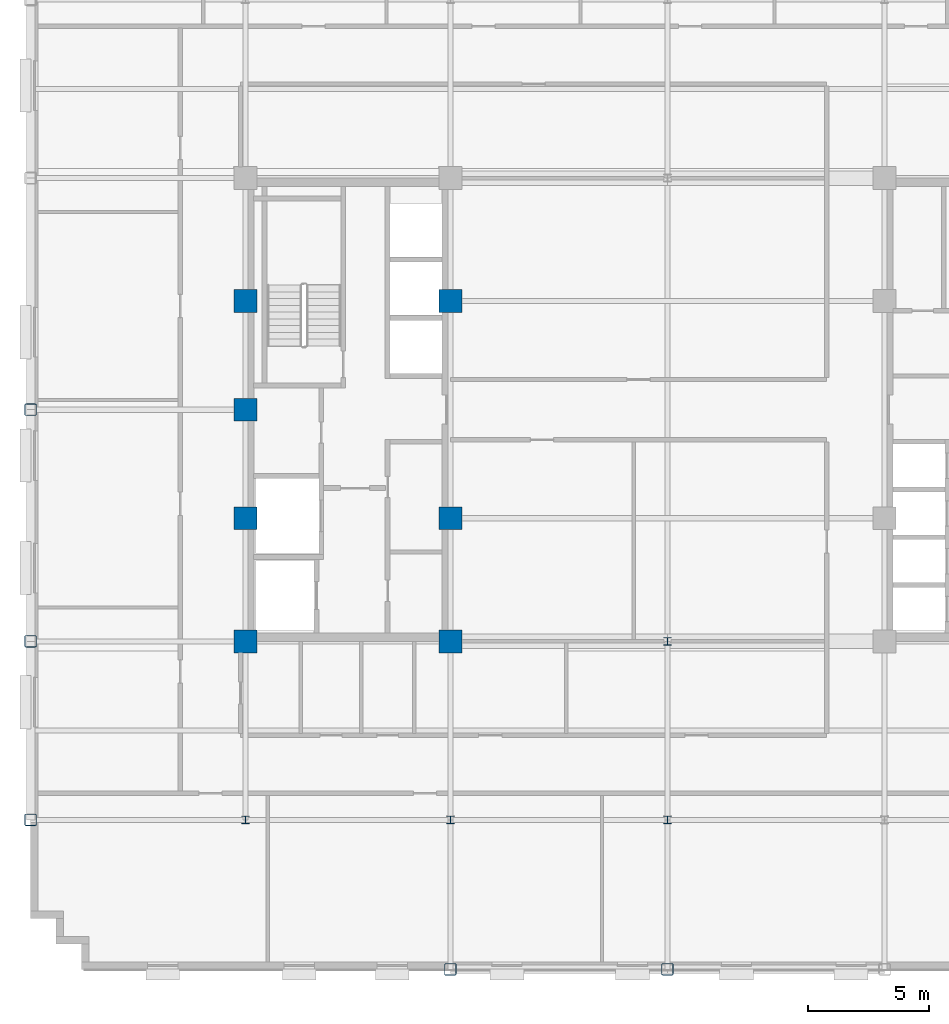
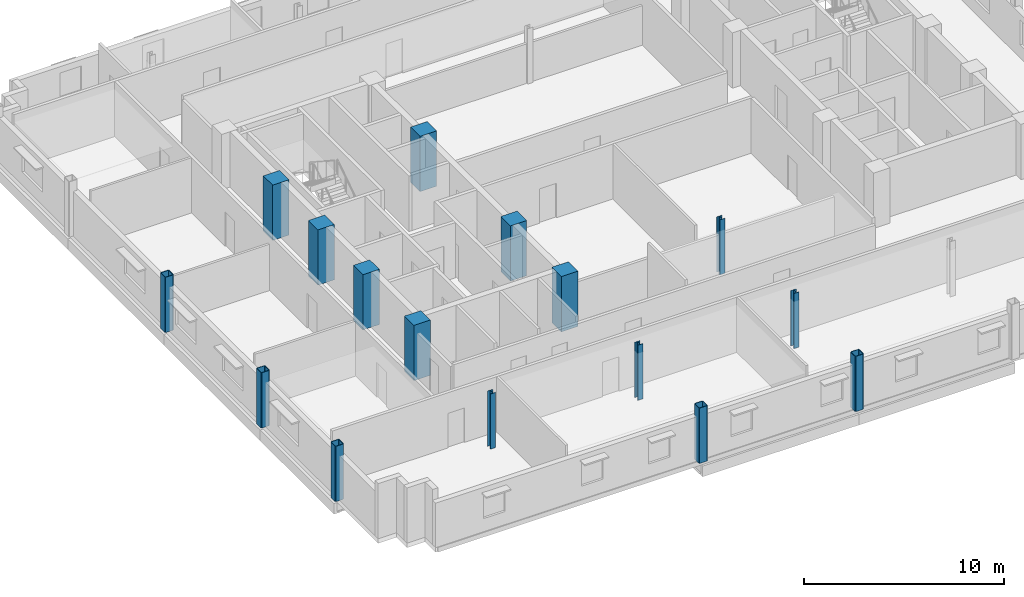
# One storey, part 1 of 15: 16 columns.
"""IFC4 building model written with IfcOpenShell, lengths in metres."""

from ifc_helpers import new_model, si_unit, direction, frame, origin, origin_2d, place, context, subcontext, project, spatial, rectangle, hollow_rectangle, i_section, extrude, material, material_profile, profile_set, type_object, element, save


model = new_model("IFC4")

# Units and contexts
model_context = context("Model", 3, precision=1e-05, world=origin(), true_north=direction((0.0, 1.0)))
body_context = subcontext(model_context, "Body", "Model", "MODEL_VIEW")
ifc_project = project(units=[si_unit("LENGTHUNIT", "METRE"), si_unit("AREAUNIT", "SQUARE_METRE"), si_unit("VOLUMEUNIT", "CUBIC_METRE"), si_unit("PLANEANGLEUNIT", "RADIAN"), si_unit("MASSUNIT", "GRAM", prefix="KILO")], contexts=[model_context])

# Site, building, storey
site_placement = place(None, origin())
site = spatial("IfcSite", under=ifc_project, at=site_placement, CompositionType="ELEMENT")
building_placement = place(site_placement, origin())
building = spatial("IfcBuilding", under=site, at=building_placement, Name="Nuvemarco Arch Tower", CompositionType="ELEMENT")
storey_placement = place(building_placement, frame((0.0, 0.0, 201.85009765625)))
storey = spatial("IfcBuildingStorey", under=building, at=storey_placement, Name="L53", CompositionType="ELEMENT", Elevation=201.85009765625)

# Columns
ifc_material_1 = material(Name="Concrete C50/60", Category="concrete")
ifc_material_profile_1 = material_profile(ifc_material_1, rectangle(XDim=0.949951171875, YDim=0.949951171875, at=origin_2d()), Name="RC-COL-950x950")
ifc_profile_set_1 = profile_set([ifc_material_profile_1], Name="Concrete C50/60")
column_type_1 = type_object("IfcColumnType", Name="COL-CORE-950", PredefinedType="COLUMN", material=ifc_profile_set_1)
for number, where, z_axis, x_axis, name in (
    (1, (-17.5, -9.60009765625, 0.0), (0.0, 0.0, 1.0), (1.0, 0.0, 0.0), "L53 column CC_-17.5_-9.6"),
    (2, (-17.5, -4.5, 0.0), (0.0, 0.0, 1.0), (1.0, 0.0, 0.0), "L53 column CC_-17.5_-4.5"),
    (3, (-17.5, 4.5, 0.0), (0.0, 0.0, 1.0), (1.0, 0.0, 0.0), "L53 column CC_-17.5_+4.5"),
    (4, (-9.0, -9.60009765625, 0.0), (0.0, 0.0, 1.0), (1.0, 0.0, 0.0), "L53 column CC_-9.0_-9.6"),
    (5, (-9.0, -4.5, 0.0), (0.0, 0.0, 1.0), (1.0, 0.0, 0.0), "L53 column CC_-9.0_-4.5"),
    (6, (-9.0, 4.5, 0.0), (0.0, 0.0, 1.0), (1.0, 0.0, 0.0), "L53 column CC_-9.0_+4.5"),
    (7, (-17.5, 0.0, 0.0), (0.0, 0.0, 1.0), (1.0, 0.0, 0.0), "L53 column CC_-17.5_+0.0"),
):
    element("IfcColumn", number, at=place(storey_placement, frame(where, z_axis=z_axis, x_axis=x_axis)), inside=storey, type_object=column_type_1, Name=name, PredefinedType="COLUMN", context=body_context, shape_type="SweptSolid", body=[
        extrude(rectangle(XDim=0.949951171875, YDim=0.949951171875, at=origin_2d()), origin(), (0.0, 0.0, 1.0), 3.369873046875),
    ])
ifc_material_2 = material(Name="Steel S355", Category="steel")
ifc_material_profile_2 = material_profile(ifc_material_2, hollow_rectangle(XDim=0.5, YDim=0.5, WallThickness=0.031982421875, InnerFilletRadius=0.031982421875, OuterFilletRadius=0.06396484375, at=origin_2d()), Name="SHS500x500x32")
ifc_profile_set_2 = profile_set([ifc_material_profile_2], Name="Steel S355")
column_type_2 = type_object("IfcColumnType", Name="COL-EXO-500", PredefinedType="COLUMN", material=ifc_profile_set_2)
for number, where, z_axis, x_axis, name in (
    (8, (-26.39990234375, -17.0, 0.0), (0.0, 0.0, 1.0), (1.0, 0.0, 0.0), "L53 column CX_-26.4_-17.0"),
    (9, (-26.39990234375, -9.60009765625, 0.0), (0.0, 0.0, 1.0), (1.0, 0.0, 0.0), "L53 column CX_-26.4_-9.6"),
    (10, (-26.39990234375, 0.0, 0.0), (0.0, 0.0, 1.0), (1.0, 0.0, 0.0), "L53 column CX_-26.4_+0.0"),
    (11, (-9.0, -23.199951171875, 0.0), (0.0, 0.0, 1.0), (1.0, 0.0, 0.0), "L53 column CY_-9.0_-23.2"),
    (12, (0.0, -23.199951171875, 0.0), (0.0, 0.0, 1.0), (1.0, 0.0, 0.0), "L53 column CY_+0.0_-23.2"),
):
    element("IfcColumn", number, at=place(storey_placement, frame(where, z_axis=z_axis, x_axis=x_axis)), inside=storey, type_object=column_type_2, Name=name, PredefinedType="COLUMN", context=body_context, shape_type="SweptSolid", body=[
        extrude(hollow_rectangle(XDim=0.5, YDim=0.5, WallThickness=0.031982421875, InnerFilletRadius=0.031982421875, OuterFilletRadius=0.06396484375, at=origin_2d()), origin(), (0.0, 0.0, 1.0), 3.369873046875),
    ])
ifc_material_profile_3 = material_profile(ifc_material_2, i_section(OverallWidth=0.31005859375, OverallDepth=0.31005859375, WebThickness=0.015380859375, FlangeThickness=0.015380859375, FilletRadius=0.014892578125, at=origin_2d()), Name="HP310x110")
ifc_profile_set_3 = profile_set([ifc_material_profile_3], Name="Steel S355")
column_type_3 = type_object("IfcColumnType", Name="COL-STL-HP310", PredefinedType="COLUMN", material=ifc_profile_set_3)
for number, where, z_axis, x_axis, name in (
    (13, (0.0, -17.0, 0.0), (0.0, 0.0, 1.0), (1.0, 0.0, 0.0), "L53 column CI_+0.0_-17.0"),
    (14, (0.0, -9.60009765625, 0.0), (0.0, 0.0, 1.0), (1.0, 0.0, 0.0), "L53 column CI_+0.0_-9.6"),
    (15, (-17.5, -17.0, 0.0), (0.0, 0.0, 1.0), (1.0, 0.0, 0.0), "L53 column CI_-17.5_-17.0"),
    (16, (-9.0, -17.0, 0.0), (0.0, 0.0, 1.0), (1.0, 0.0, 0.0), "L53 column CI_-9.0_-17.0"),
):
    element("IfcColumn", number, at=place(storey_placement, frame(where, z_axis=z_axis, x_axis=x_axis)), inside=storey, type_object=column_type_3, Name=name, PredefinedType="COLUMN", context=body_context, shape_type="SweptSolid", body=[
        extrude(i_section(OverallWidth=0.31005859375, OverallDepth=0.31005859375, WebThickness=0.015380859375, FlangeThickness=0.015380859375, FilletRadius=0.014892578125, at=origin_2d()), origin(), (0.0, 0.0, 1.0), 3.369873046875),
    ])

save(model, "model.ifc")
